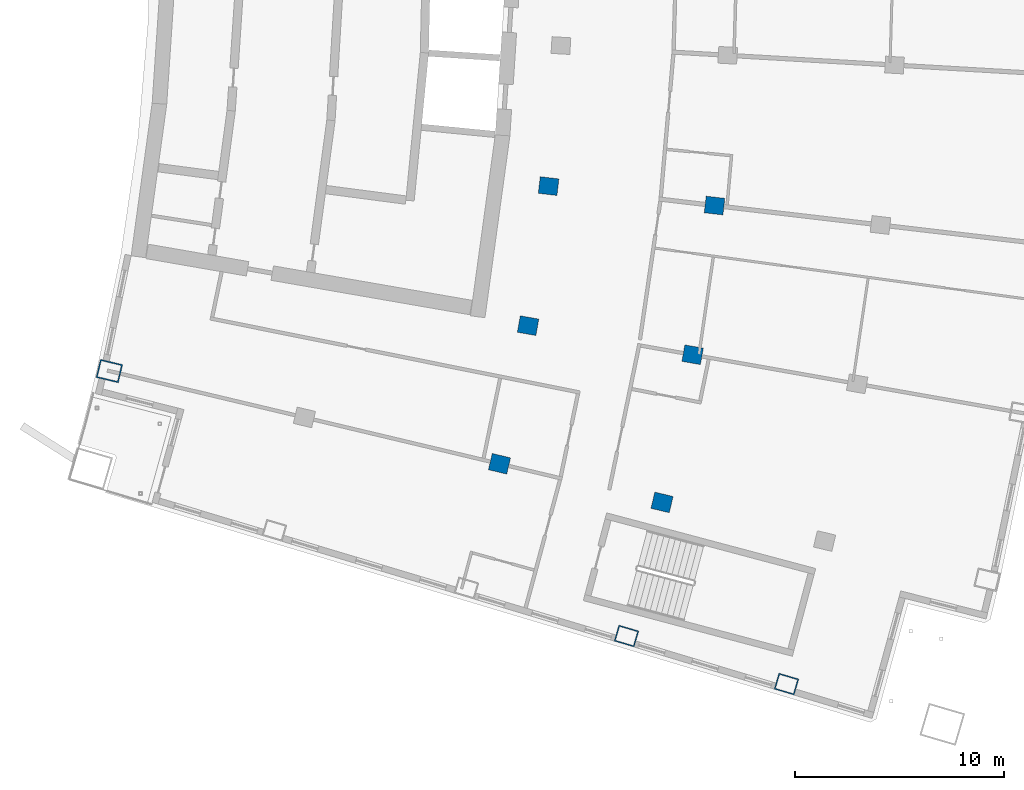
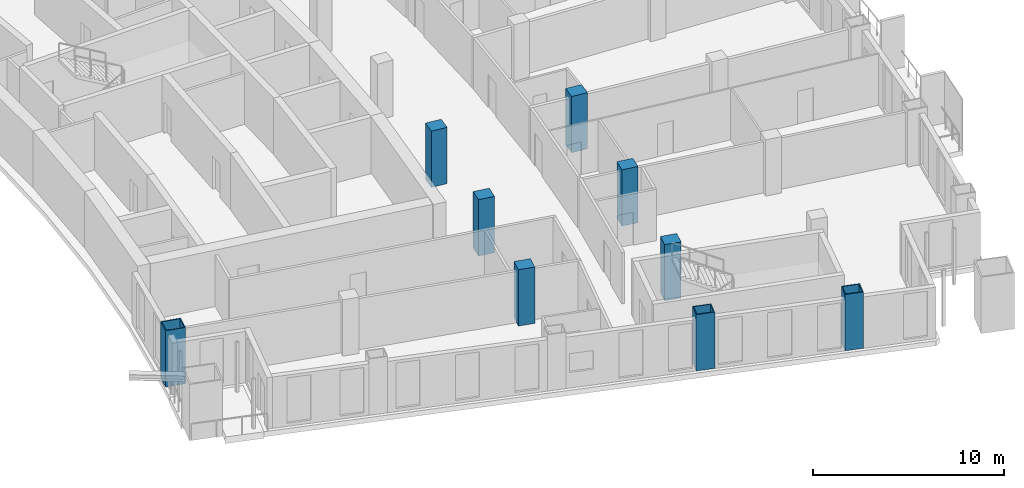
# One storey, part 2 of 20: 9 columns.
"""IFC4 building model written with IfcOpenShell, lengths in metres."""

from ifc_helpers import new_model, si_unit, direction, frame, origin, origin_2d, place, context, subcontext, project, spatial, rectangle, hollow_rectangle, extrude, material, material_profile, profile_set, type_object, element, save


model = new_model("IFC4")

# Units and contexts
model_context = context("Model", 3, precision=1e-05, world=origin(), true_north=direction((0.0, 1.0)))
body_context = subcontext(model_context, "Body", "Model", "MODEL_VIEW")
ifc_project = project(units=[si_unit("LENGTHUNIT", "METRE"), si_unit("AREAUNIT", "SQUARE_METRE"), si_unit("VOLUMEUNIT", "CUBIC_METRE"), si_unit("PLANEANGLEUNIT", "RADIAN"), si_unit("MASSUNIT", "GRAM", prefix="KILO")], contexts=[model_context])

# Site, building, storey
site_placement = place(None, origin())
site = spatial("IfcSite", under=ifc_project, at=site_placement, CompositionType="ELEMENT")
building_placement = place(site_placement, origin())
building = spatial("IfcBuilding", under=site, at=building_placement, Name="Alderwake Tower", CompositionType="ELEMENT")
storey_placement = place(building_placement, frame((0.0, 0.0, 153.199951171875)))
storey = spatial("IfcBuildingStorey", under=building, at=storey_placement, Name="L37", CompositionType="ELEMENT", Elevation=153.199951171875)

# Columns
ifc_material_1 = material(Name="Steel ASTM A572 Grade 50 concrete filled C70/85", Category="concrete")
ifc_material_profile_1 = material_profile(ifc_material_1, hollow_rectangle(XDim=0.800048828125, YDim=1.0, WallThickness=0.054931640625, at=origin_2d()), Name="BOX 1000X800X55")
ifc_profile_set_1 = profile_set([ifc_material_profile_1], Name="Steel ASTM A572 Grade 50 concrete filled C70/85")
column_type_1 = type_object("IfcColumnType", Name="End column Z3", PredefinedType="COLUMN", material=ifc_profile_set_1)
for number, where, z_axis, x_axis, name in (
    (1, (38.74267578125, 25.9765625, 0.0), (0.0, 0.0, 1.0), (0.282903979359, 0.959148235917, 0.0), "Column R02-C3"),
    (2, (46.40478515625, 23.676025390625, 0.0), (0.0, 0.0, 1.0), (0.283185204145, 0.959065242908, 0.0), "Column R02-C4"),
):
    element("IfcColumn", number, at=place(storey_placement, frame(where, z_axis=z_axis, x_axis=x_axis)), inside=storey, type_object=column_type_1, Name=name, PredefinedType="COLUMN", context=body_context, shape_type="SweptSolid", body=[
        extrude(hollow_rectangle(XDim=0.800048828125, YDim=1.0, WallThickness=0.054931640625, at=origin_2d()), origin(), (0.0, 0.0, 1.0), 3.60009765625),
    ])
ifc_material_2 = material(Name="Concrete C70/85", Category="concrete")
ifc_material_profile_2 = material_profile(ifc_material_2, rectangle(XDim=0.800048828125, YDim=0.89990234375, at=origin_2d()), Name="RC 900X800")
ifc_profile_set_2 = profile_set([ifc_material_profile_2], Name="Concrete C70/85")
column_type_2 = type_object("IfcColumnType", Name="Interior column Z3", PredefinedType="COLUMN", material=ifc_profile_set_2)
for number, where, z_axis, x_axis, name in (
    (3, (32.661865234375, 34.224609375, 0.0), (0.0, 0.0, 1.0), (0.231221547198, 0.972901123502, 0.0), "Column R03-C2"),
    (4, (40.4453125, 32.374755859375, 0.0), (0.0, 0.0, 1.0), (0.231221547198, 0.972901123502, 0.0), "Column R03-C3"),
    (5, (34.03125, 40.83837890625, 0.0), (0.0, 0.0, 1.0), (0.174108800747, 0.984726421654, 0.0), "Column R04-C2"),
    (6, (41.9091796875, 39.4453125, 0.0), (0.0, 0.0, 1.0), (0.174108800747, 0.984726421654, 0.0), "Column R04-C3"),
    (7, (35.0126953125, 47.5205078125, 0.0), (0.0, 0.0, 1.0), (0.116402054316, 0.993202175668, 0.0), "Column R05-C2"),
    (8, (42.95849609375, 46.58935546875, 0.0), (0.0, 0.0, 1.0), (0.116402054316, 0.993202175668, 0.0), "Column R05-C3"),
):
    element("IfcColumn", number, at=place(storey_placement, frame(where, z_axis=z_axis, x_axis=x_axis)), inside=storey, type_object=column_type_2, Name=name, PredefinedType="COLUMN", context=body_context, shape_type="SweptSolid", body=[
        extrude(rectangle(XDim=0.800048828125, YDim=0.89990234375, at=origin_2d()), origin(), (0.0, 0.0, 1.0), 3.60009765625),
    ])
ifc_material_3 = material(Name="Steel ASTM A572 Grade 50 concrete filled C70/85", Category="concrete")
ifc_material_profile_3 = material_profile(ifc_material_3, hollow_rectangle(XDim=0.89990234375, YDim=1.10009765625, WallThickness=0.06005859375, at=origin_2d()), Name="BOX 1100X900X60")
ifc_profile_set_3 = profile_set([ifc_material_profile_3], Name="Steel ASTM A572 Grade 50 concrete filled C70/85")
column_type_3 = type_object("IfcColumnType", Name="Perimeter column Z3", PredefinedType="COLUMN", material=ifc_profile_set_3)
column_placement = place(storey_placement, frame((13.982177734375, 38.6640625, 0.0), z_axis=(0.0, 0.0, 1.0), x_axis=(0.231221547198, 0.972901123502, 0.0)))
element("IfcColumn", 9, at=column_placement, inside=storey, type_object=column_type_3, Name="Column R03-C0", PredefinedType="COLUMN", context=body_context, shape_type="SweptSolid", body=[
    extrude(hollow_rectangle(XDim=0.89990234375, YDim=1.10009765625, WallThickness=0.06005859375, at=origin_2d()), origin(), (0.0, 0.0, 1.0), 3.60009765625),
])

save(model, "model.ifc")
